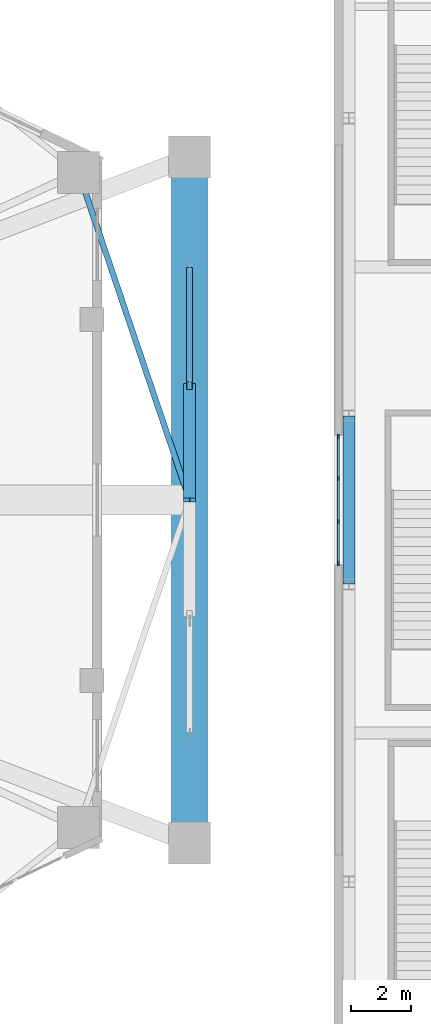
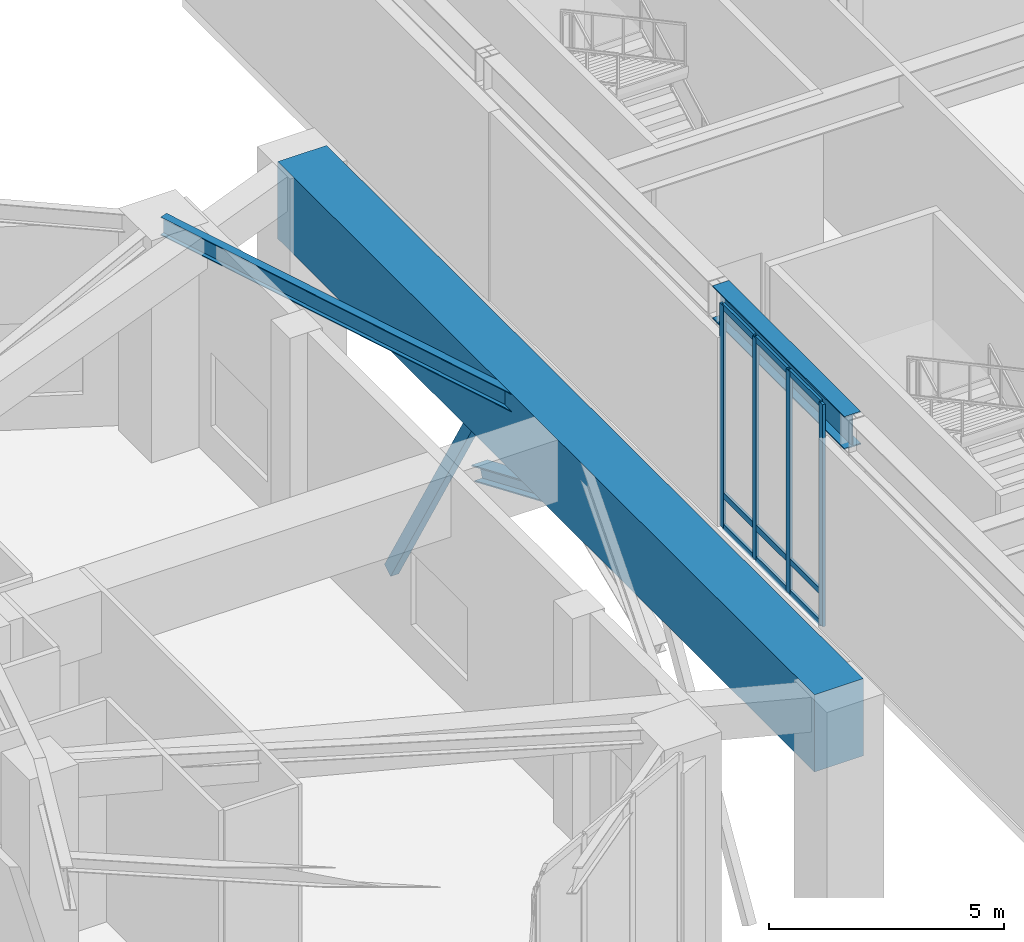
# One storey, part 7 of 25: 15 members, 3 beams, 1 element without a shape of its own.
"""IFC4 building model written with IfcOpenShell, lengths in metres."""

from ifc_helpers import new_model, si_unit, direction, frame, origin, origin_2d, place, context, subcontext, project, spatial, rectangle, hollow_rectangle, i_section, extrude, material, layer, layer_set, material_profile, profile_set, type_object, element, aggregate, save


model = new_model("IFC4")

# Units and contexts
model_context = context("Model", 3, precision=1e-05, world=origin(), true_north=direction((0.0, 1.0)))
body_context = subcontext(model_context, "Body", "Model", "MODEL_VIEW")
ifc_project = project(units=[si_unit("LENGTHUNIT", "METRE"), si_unit("AREAUNIT", "SQUARE_METRE"), si_unit("VOLUMEUNIT", "CUBIC_METRE"), si_unit("PLANEANGLEUNIT", "RADIAN"), si_unit("MASSUNIT", "GRAM", prefix="KILO")], contexts=[model_context])

# Site, building, storey
site_placement = place(None, origin())
site = spatial("IfcSite", under=ifc_project, at=site_placement, CompositionType="ELEMENT")
building_placement = place(site_placement, origin())
building = spatial("IfcBuilding", under=site, at=building_placement, Name="Kolvaren Gate Tower and Convention Centre", CompositionType="ELEMENT")
storey_placement = place(building_placement, frame((0.0, 0.0, 15.0)))
storey = spatial("IfcBuildingStorey", under=building, at=storey_placement, Name="L03", CompositionType="ELEMENT", Elevation=15.0)

# Curtain wall, members
ifc_material_1 = material(Name="Anodized Architectural Aluminium Alloy 6063-T6", Category="aluminium")
ifc_layer = layer(ifc_material_1, 0.179931640625)
ifc_layer_set = layer_set([ifc_layer], Name="Anodized Architectural Aluminium Alloy 6063-T6")
curtain_wall_type = type_object("IfcCurtainWallType", Name="CW-CONV-GLZ", PredefinedType="NOTDEFINED", material=ifc_layer_set)
curtain_wall_placement = place(storey_placement, origin())
curtain_wall = element("IfcCurtainWall", 1, at=curtain_wall_placement, inside=storey, type_object=curtain_wall_type, Name="Convention L03 W Foyer Curtain Wall CW-CC-L03-W", PredefinedType="NOTDEFINED")
ifc_material_profile_1 = material_profile(ifc_material_1, rectangle(XDim=0.06494140625, YDim=0.159912109375, at=origin_2d()), Name="CW-MEM-MUL-160")
ifc_profile_set_1 = profile_set([ifc_material_profile_1], Name="Anodized Architectural Aluminium Alloy 6063-T6")
member_type_1 = type_object("IfcMemberType", Name="CW-MEM-MUL-160", PredefinedType="MULLION", material=ifc_profile_set_1)
member_1_placement = place(storey_placement, frame((62.35009765625, 24.892578125, 0.0), z_axis=(0.0, 0.0, 1.0), x_axis=(-1.0, 0.0, 0.0)))
member_1 = element("IfcMember", 2, at=member_1_placement, type_object=member_type_1, Name="CW-06 mullion 1", PredefinedType="MULLION", context=body_context, shape_type="SweptSolid", body=[
    extrude(rectangle(XDim=0.06494140625, YDim=0.159912109375, at=origin_2d()), origin(), (0.0, 0.0, 1.0), 5.760009765625),
])
member_2_placement = place(storey_placement, frame((62.35009765625, 26.28662109375, 0.0), z_axis=(0.0, 0.0, 1.0), x_axis=(-1.0, 0.0, 0.0)))
member_2 = element("IfcMember", 3, at=member_2_placement, type_object=member_type_1, Name="CW-06 mullion 2", PredefinedType="MULLION", context=body_context, shape_type="SweptSolid", body=[
    extrude(rectangle(XDim=0.06494140625, YDim=0.159912109375, at=origin_2d()), origin(), (0.0, 0.0, 1.0), 5.760009765625),
])
member_3_placement = place(storey_placement, frame((62.35009765625, 27.71337890625, 0.0), z_axis=(0.0, 0.0, 1.0), x_axis=(-1.0, 0.0, 0.0)))
member_3 = element("IfcMember", 4, at=member_3_placement, type_object=member_type_1, Name="CW-06 mullion 3", PredefinedType="MULLION", context=body_context, shape_type="SweptSolid", body=[
    extrude(rectangle(XDim=0.06494140625, YDim=0.159912109375, at=origin_2d()), origin(), (0.0, 0.0, 1.0), 5.760009765625),
])
member_4_placement = place(storey_placement, frame((62.35009765625, 29.107421875, 0.0), z_axis=(0.0, 0.0, 1.0), x_axis=(-1.0, 0.0, 0.0)))
member_4 = element("IfcMember", 5, at=member_4_placement, type_object=member_type_1, Name="CW-06 mullion 4", PredefinedType="MULLION", context=body_context, shape_type="SweptSolid", body=[
    extrude(rectangle(XDim=0.06494140625, YDim=0.159912109375, at=origin_2d()), origin(), (0.0, 0.0, 1.0), 5.760009765625),
])
ifc_material_profile_2 = material_profile(ifc_material_1, rectangle(XDim=0.06494140625, YDim=0.159912109375, at=origin_2d()), Name="CW-MEM-TRN-160")
ifc_profile_set_2 = profile_set([ifc_material_profile_2], Name="Anodized Architectural Aluminium Alloy 6063-T6")
member_type_2 = type_object("IfcMemberType", Name="CW-MEM-TRN-160", PredefinedType="USERDEFINED", material=ifc_profile_set_2)
member_5_placement = place(storey_placement, frame((62.35009765625, 24.925048828125, 0.032470703125), z_axis=(0.0, 1.0, 0.0), x_axis=(-1.0, 0.0, 0.0)))
member_5 = element("IfcMember", 6, at=member_5_placement, type_object=member_type_2, Name="CW-06 transom 1.1", ObjectType="TRANSOM", PredefinedType="USERDEFINED", context=body_context, shape_type="SweptSolid", body=[
    extrude(rectangle(XDim=0.06494140625, YDim=0.159912109375, at=origin_2d()), origin(), (0.0, 0.0, 1.0), 1.3291015625),
])
member_6_placement = place(storey_placement, frame((62.35009765625, 24.925048828125, 0.85009765625), z_axis=(0.0, 1.0, 0.0), x_axis=(-1.0, 0.0, 0.0)))
member_6 = element("IfcMember", 7, at=member_6_placement, type_object=member_type_2, Name="CW-06 transom 1.2", ObjectType="TRANSOM", PredefinedType="USERDEFINED", context=body_context, shape_type="SweptSolid", body=[
    extrude(rectangle(XDim=0.06494140625, YDim=0.159912109375, at=origin_2d()), origin(), (0.0, 0.0, 1.0), 1.3291015625),
])
member_7_placement = place(storey_placement, frame((62.35009765625, 24.925048828125, 5.7275390625), z_axis=(0.0, 1.0, 0.0), x_axis=(-1.0, 0.0, 0.0)))
member_7 = element("IfcMember", 8, at=member_7_placement, type_object=member_type_2, Name="CW-06 transom 1.3", ObjectType="TRANSOM", PredefinedType="USERDEFINED", context=body_context, shape_type="SweptSolid", body=[
    extrude(rectangle(XDim=0.06494140625, YDim=0.159912109375, at=origin_2d()), origin(), (0.0, 0.0, 1.0), 1.3291015625),
])
member_8_placement = place(storey_placement, frame((62.35009765625, 26.319091796875, 0.032470703125), z_axis=(0.0, 1.0, 0.0), x_axis=(-1.0, 0.0, 0.0)))
member_8 = element("IfcMember", 9, at=member_8_placement, type_object=member_type_2, Name="CW-06 transom 2.1", ObjectType="TRANSOM", PredefinedType="USERDEFINED", context=body_context, shape_type="SweptSolid", body=[
    extrude(rectangle(XDim=0.06494140625, YDim=0.159912109375, at=origin_2d()), origin(), (0.0, 0.0, 1.0), 1.36181640625),
])
member_9_placement = place(storey_placement, frame((62.35009765625, 26.319091796875, 0.85009765625), z_axis=(0.0, 1.0, 0.0), x_axis=(-1.0, 0.0, 0.0)))
member_9 = element("IfcMember", 10, at=member_9_placement, type_object=member_type_2, Name="CW-06 transom 2.2", ObjectType="TRANSOM", PredefinedType="USERDEFINED", context=body_context, shape_type="SweptSolid", body=[
    extrude(rectangle(XDim=0.06494140625, YDim=0.159912109375, at=origin_2d()), origin(), (0.0, 0.0, 1.0), 1.36181640625),
])
member_10_placement = place(storey_placement, frame((62.35009765625, 26.319091796875, 5.7275390625), z_axis=(0.0, 1.0, 0.0), x_axis=(-1.0, 0.0, 0.0)))
member_10 = element("IfcMember", 11, at=member_10_placement, type_object=member_type_2, Name="CW-06 transom 2.3", ObjectType="TRANSOM", PredefinedType="USERDEFINED", context=body_context, shape_type="SweptSolid", body=[
    extrude(rectangle(XDim=0.06494140625, YDim=0.159912109375, at=origin_2d()), origin(), (0.0, 0.0, 1.0), 1.36181640625),
])
member_11_placement = place(storey_placement, frame((62.35009765625, 27.745849609375, 0.032470703125), z_axis=(0.0, 1.0, 0.0), x_axis=(-1.0, 0.0, 0.0)))
member_11 = element("IfcMember", 12, at=member_11_placement, type_object=member_type_2, Name="CW-06 transom 3.1", ObjectType="TRANSOM", PredefinedType="USERDEFINED", context=body_context, shape_type="SweptSolid", body=[
    extrude(rectangle(XDim=0.06494140625, YDim=0.159912109375, at=origin_2d()), origin(), (0.0, 0.0, 1.0), 1.3291015625),
])
member_12_placement = place(storey_placement, frame((62.35009765625, 27.745849609375, 0.85009765625), z_axis=(0.0, 1.0, 0.0), x_axis=(-1.0, 0.0, 0.0)))
member_12 = element("IfcMember", 13, at=member_12_placement, type_object=member_type_2, Name="CW-06 transom 3.2", ObjectType="TRANSOM", PredefinedType="USERDEFINED", context=body_context, shape_type="SweptSolid", body=[
    extrude(rectangle(XDim=0.06494140625, YDim=0.159912109375, at=origin_2d()), origin(), (0.0, 0.0, 1.0), 1.3291015625),
])
member_13_placement = place(storey_placement, frame((62.35009765625, 27.745849609375, 5.7275390625), z_axis=(0.0, 1.0, 0.0), x_axis=(-1.0, 0.0, 0.0)))
member_13 = element("IfcMember", 14, at=member_13_placement, type_object=member_type_2, Name="CW-06 transom 3.3", ObjectType="TRANSOM", PredefinedType="USERDEFINED", context=body_context, shape_type="SweptSolid", body=[
    extrude(rectangle(XDim=0.06494140625, YDim=0.159912109375, at=origin_2d()), origin(), (0.0, 0.0, 1.0), 1.3291015625),
])
aggregate(curtain_wall, [member_1, member_2, member_3, member_4, member_5, member_6, member_7, member_8, member_9, member_10, member_11, member_12, member_13])

# Beam
ifc_material_2 = material(Name="Structural steel ASTM A992 Grade 345 MPa", Category="steel")
ifc_material_profile_3 = material_profile(ifc_material_2, i_section(OverallWidth=0.39990234375, OverallDepth=0.85498046875, WebThickness=0.018310546875, FlangeThickness=0.029296875, at=origin_2d()), Name="W840X299")
ifc_profile_set_3 = profile_set([ifc_material_profile_3], Name="Structural steel ASTM A992 Grade 345 MPa")
beam_type_1 = type_object("IfcBeamType", Name="STR-BM-W840X299", PredefinedType="BEAM", material=ifc_profile_set_3)
beam_1_placement = place(storey_placement, frame((62.699951171875, 24.199951171875, 5.33251953125), z_axis=(0.0, 1.0, 0.0), x_axis=(-1.0, 0.0, 0.0)))
element("IfcBeam", 15, at=beam_1_placement, inside=storey, type_object=beam_type_1, Name="Convention L03 Longitudinal Girder CG-14", PredefinedType="BEAM", context=body_context, shape_type="SweptSolid", body=[
    extrude(i_section(OverallWidth=0.39990234375, OverallDepth=0.85498046875, WebThickness=0.018310546875, FlangeThickness=0.029296875, at=origin_2d()), origin(), (0.0, 0.0, 1.0), 5.60009765625),
])

# Member
ifc_material_profile_4 = material_profile(ifc_material_2, i_section(OverallWidth=0.39501953125, OverallDepth=0.3798828125, WebThickness=0.018798828125, FlangeThickness=0.0302734375, at=origin_2d()), Name="W360X237")
ifc_profile_set_4 = profile_set([ifc_material_profile_4], Name="Structural steel ASTM A992 Grade 345 MPa")
member_type_3 = type_object("IfcMemberType", Name="STR-CH-W360X237", PredefinedType="CHORD", material=ifc_profile_set_4)
member_14_placement = place(storey_placement, frame((57.39990234375, 27.0, 3.760009765625), z_axis=(0.0, 0.920078037536, -0.391735120768), x_axis=(-1.0, 0.0, 0.0)))
element("IfcMember", 16, at=member_14_placement, inside=storey, type_object=member_type_3, Name="Monumental East Portal Parabolic Arch Rib AR-04", PredefinedType="CHORD", context=body_context, shape_type="SweptSolid", body=[
    extrude(i_section(OverallWidth=0.39501953125, OverallDepth=0.3798828125, WebThickness=0.018798828125, FlangeThickness=0.0302734375, at=origin_2d()), origin(), (0.0, 0.0, 1.0), 4.130126953125),
])

# Beam
ifc_material_profile_5 = material_profile(ifc_material_2, i_section(OverallWidth=0.194091796875, OverallDepth=0.468994140625, WebThickness=0.0126953125, FlangeThickness=0.0205078125, at=origin_2d()), Name="W460X106")
ifc_profile_set_5 = profile_set([ifc_material_profile_5], Name="Structural steel ASTM A992 Grade 345 MPa")
beam_type_2 = type_object("IfcBeamType", Name="STR-SP-W460X106", PredefinedType="SPANDREL", material=ifc_profile_set_5)
beam_2_placement = place(storey_placement, frame((57.39990234375, 27.0, 5.525390625), z_axis=(-0.320802733798, 0.947146032029, 0.0), x_axis=(-0.947146032029, -0.320802733798, 0.0)))
element("IfcBeam", 17, at=beam_2_placement, inside=storey, type_object=beam_type_2, Name="Tower L03 Perimeter Spandrel Beam SP-01", PredefinedType="SPANDREL", context=body_context, shape_type="SweptSolid", body=[
    extrude(i_section(OverallWidth=0.194091796875, OverallDepth=0.468994140625, WebThickness=0.0126953125, FlangeThickness=0.0205078125, at=origin_2d()), origin(), (0.0, 0.0, 1.0), 11.50146484375),
])

# Member
ifc_material_3 = material(Name="Structural steel ASTM A500 Grade C 345 MPa", Category="steel")
ifc_material_profile_6 = material_profile(ifc_material_3, hollow_rectangle(XDim=0.202880859375, YDim=0.304931640625, WallThickness=0.0126953125, at=origin_2d()), Name="HSS305X203X12.7")
ifc_profile_set_6 = profile_set([ifc_material_profile_6], Name="Structural steel ASTM A500 Grade C 345 MPa")
member_type_4 = type_object("IfcMemberType", Name="STR-ST-HSS305X203", PredefinedType="STRUT", material=ifc_profile_set_6)
member_15_placement = place(storey_placement, frame((57.39990234375, 34.60009765625, -2.711181640625), z_axis=(0.0, -0.506373091128, 0.86231449749), x_axis=(1.0, 0.0, 0.0)))
element("IfcMember", 18, at=member_15_placement, inside=storey, type_object=member_type_4, Name="Portal Arch Spandrel Diagonal Strut ASD-05", PredefinedType="STRUT", context=body_context, shape_type="SweptSolid", body=[
    extrude(hollow_rectangle(XDim=0.202880859375, YDim=0.304931640625, WallThickness=0.0126953125, at=origin_2d()), origin(), (0.0, 0.0, 1.0), 7.50439453125),
])

# Beam
ifc_material_4 = material(Name="Concrete C70/85", Category="concrete")
ifc_material_profile_7 = material_profile(ifc_material_4, rectangle(XDim=1.199951171875, YDim=2.0, at=origin_2d()), Name="RC-BM-1200X2000")
ifc_profile_set_7 = profile_set([ifc_material_profile_7], Name="Concrete C70/85")
beam_type_3 = type_object("IfcBeamType", Name="STR-TG-RC1200X2000", PredefinedType="USERDEFINED", material=ifc_profile_set_7)
beam_3_placement = place(storey_placement, frame((57.39990234375, 15.60009765625, 4.760009765625), z_axis=(0.0, 1.0, 0.0), x_axis=(-1.0, 0.0, 0.0)))
element("IfcBeam", 19, at=beam_3_placement, inside=storey, type_object=beam_type_3, Name="Portal Arch Main Transfer Girder ATG-01", ObjectType="TRANSFER GIRDER", PredefinedType="USERDEFINED", context=body_context, shape_type="SweptSolid", body=[
    extrude(rectangle(XDim=1.199951171875, YDim=2.0, at=origin_2d()), origin(), (0.0, 0.0, 1.0), 22.7998046875),
])

save(model, "model.ifc")
